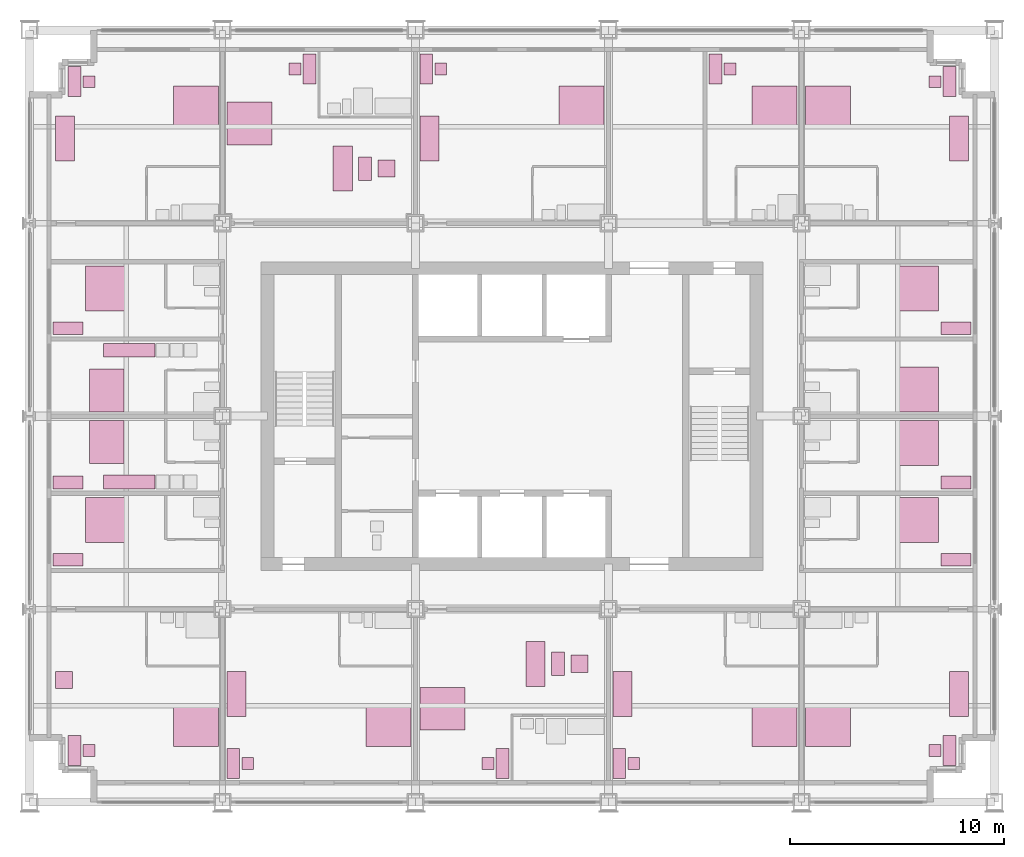
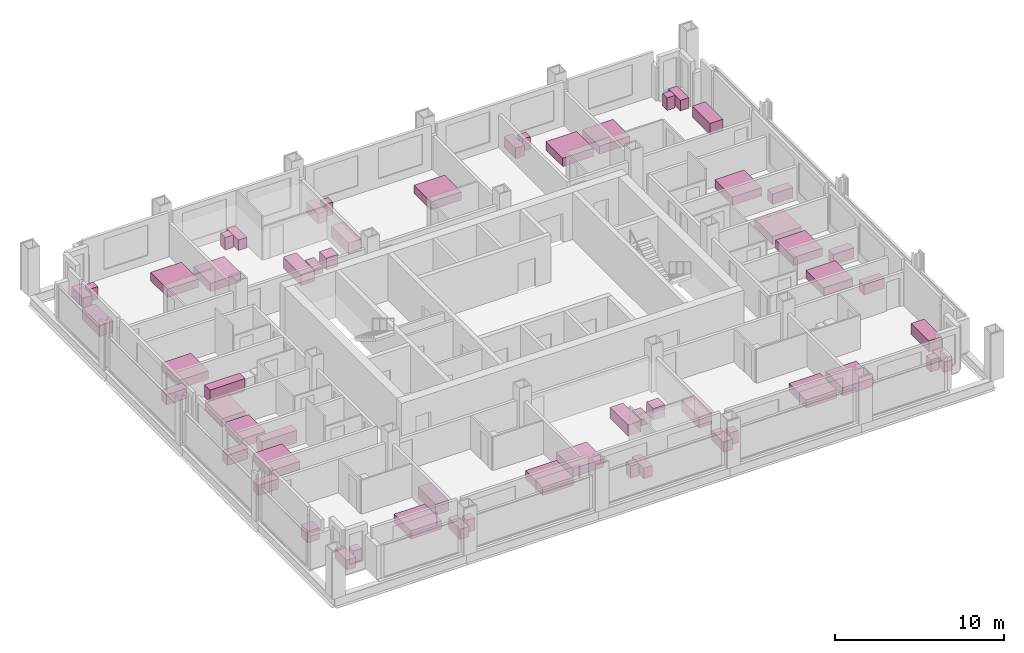
# One storey, part 16 of 16: 59 furniture elements.
"""IFC4 building model written with IfcOpenShell, lengths in metres."""

from ifc_helpers import new_model, si_unit, direction, frame, origin, origin_2d, place, context, subcontext, project, spatial, rectangle, extrude, element, save


model = new_model("IFC4")

# Units and contexts
model_context = context("Model", 3, precision=1e-05, world=origin(), true_north=direction((0.0, 1.0)))
body_context = subcontext(model_context, "Body", "Model", "MODEL_VIEW")
ifc_project = project(units=[si_unit("LENGTHUNIT", "METRE"), si_unit("AREAUNIT", "SQUARE_METRE"), si_unit("VOLUMEUNIT", "CUBIC_METRE"), si_unit("PLANEANGLEUNIT", "RADIAN"), si_unit("MASSUNIT", "GRAM", prefix="KILO")], contexts=[model_context])

# Site, building, storey
site_placement = place(None, origin())
site = spatial("IfcSite", under=ifc_project, at=site_placement, CompositionType="ELEMENT")
building_placement = place(site_placement, origin())
building = spatial("IfcBuilding", under=site, at=building_placement, Name="Loomwork Tower", CompositionType="ELEMENT")
storey_placement = place(building_placement, frame((0.0, 0.0, 107.800048828125)))
storey = spatial("IfcBuildingStorey", under=building, at=storey_placement, Name="L28", CompositionType="ELEMENT", Elevation=107.800048828125)

# Furniture
furniture_1_placement = place(storey_placement, frame((7.75, 3.60009765625, 0.0), z_axis=(0.0, 0.0, 1.0), x_axis=(1.0, 0.0, 0.0)))
element("IfcFurniture", 1, at=furniture_1_placement, inside=storey, Name="King bed L28", PredefinedType="BED", context=body_context, shape_type="SweptSolid", body=[
    extrude(rectangle(XDim=2.10009765625, YDim=2.0, at=origin_2d()), origin(), (0.0, 0.0, 1.0), 0.60009765625),
])
furniture_2_placement = place(storey_placement, frame((2.10009765625, 2.39990234375, 0.0), z_axis=(0.0, 0.0, 1.0), x_axis=(1.0, 0.0, 0.0)))
element("IfcFurniture", 2, at=furniture_2_placement, inside=storey, Name="Writing desk L28", PredefinedType="DESK", context=body_context, shape_type="SweptSolid", body=[
    extrude(rectangle(XDim=0.60009765625, YDim=1.39990234375, at=origin_2d()), origin(), (0.0, 0.0, 1.0), 0.75),
])
furniture_3_placement = place(storey_placement, frame((2.77490234375, 2.39990234375, 0.0), z_axis=(0.0, 0.0, 1.0), x_axis=(1.0, 0.0, 0.0)))
element("IfcFurniture", 3, at=furniture_3_placement, inside=storey, Name="Desk chair L28", PredefinedType="CHAIR", context=body_context, shape_type="SweptSolid", body=[
    extrude(rectangle(XDim=0.550048828125, YDim=0.550048828125, at=origin_2d()), origin(), (0.0, 0.0, 1.0), 0.89990234375),
])
furniture_4_placement = place(storey_placement, frame((1.60009765625, 5.699951171875, 0.0), z_axis=(0.0, 0.0, 1.0), x_axis=(1.0, 0.0, 0.0)))
element("IfcFurniture", 4, at=furniture_4_placement, inside=storey, Name="Lounge armchair L28", PredefinedType="CHAIR", context=body_context, shape_type="SweptSolid", body=[
    extrude(rectangle(XDim=0.800048828125, YDim=0.800048828125, at=origin_2d()), origin(), (0.0, 0.0, 1.0), 0.85009765625),
])
furniture_5_placement = place(storey_placement, frame((16.75, 3.60009765625, 0.0), z_axis=(0.0, 0.0, 1.0), x_axis=(1.0, 0.0, 0.0)))
element("IfcFurniture", 5, at=furniture_5_placement, inside=storey, Name="King bed L28", PredefinedType="BED", context=body_context, shape_type="SweptSolid", body=[
    extrude(rectangle(XDim=2.10009765625, YDim=2.0, at=origin_2d()), origin(), (0.0, 0.0, 1.0), 0.60009765625),
])
furniture_6_placement = place(storey_placement, frame((9.5, 1.800048828125, 0.0), z_axis=(0.0, 0.0, 1.0), x_axis=(1.0, 0.0, 0.0)))
element("IfcFurniture", 6, at=furniture_6_placement, inside=storey, Name="Writing desk L28", PredefinedType="DESK", context=body_context, shape_type="SweptSolid", body=[
    extrude(rectangle(XDim=0.60009765625, YDim=1.39990234375, at=origin_2d()), origin(), (0.0, 0.0, 1.0), 0.75),
])
furniture_7_placement = place(storey_placement, frame((10.175048828125, 1.800048828125, 0.0), z_axis=(0.0, 0.0, 1.0), x_axis=(1.0, 0.0, 0.0)))
element("IfcFurniture", 7, at=furniture_7_placement, inside=storey, Name="Desk chair L28", PredefinedType="CHAIR", context=body_context, shape_type="SweptSolid", body=[
    extrude(rectangle(XDim=0.550048828125, YDim=0.550048828125, at=origin_2d()), origin(), (0.0, 0.0, 1.0), 0.89990234375),
])
furniture_8_placement = place(storey_placement, frame((9.64990234375, 5.050048828125, 0.0), z_axis=(0.0, 0.0, 1.0), x_axis=(1.0, 0.0, 0.0)))
element("IfcFurniture", 8, at=furniture_8_placement, inside=storey, Name="Sofa L28", PredefinedType="SOFA", context=body_context, shape_type="SweptSolid", body=[
    extrude(rectangle(XDim=0.89990234375, YDim=2.10009765625, at=origin_2d()), origin(), (0.0, 0.0, 1.0), 0.800048828125),
])
furniture_9_placement = place(storey_placement, frame((19.25, 4.35009765625, 0.0), z_axis=(0.0, 0.0, 1.0), x_axis=(1.0, 0.0, 0.0)))
element("IfcFurniture", 9, at=furniture_9_placement, inside=storey, Name="King bed L28", PredefinedType="BED", context=body_context, shape_type="SweptSolid", body=[
    extrude(rectangle(XDim=2.10009765625, YDim=2.0, at=origin_2d()), origin(), (0.0, 0.0, 1.0), 0.60009765625),
])
furniture_10_placement = place(storey_placement, frame((22.050048828125, 1.800048828125, 0.0), z_axis=(0.0, 0.0, 1.0), x_axis=(1.0, 0.0, 0.0)))
element("IfcFurniture", 10, at=furniture_10_placement, inside=storey, Name="Writing desk L28", PredefinedType="DESK", context=body_context, shape_type="SweptSolid", body=[
    extrude(rectangle(XDim=0.60009765625, YDim=1.39990234375, at=origin_2d()), origin(), (0.0, 0.0, 1.0), 0.75),
])
furniture_11_placement = place(storey_placement, frame((21.375, 1.800048828125, 0.0), z_axis=(0.0, 0.0, 1.0), x_axis=(1.0, 0.0, 0.0)))
element("IfcFurniture", 11, at=furniture_11_placement, inside=storey, Name="Desk chair L28", PredefinedType="CHAIR", context=body_context, shape_type="SweptSolid", body=[
    extrude(rectangle(XDim=0.550048828125, YDim=0.550048828125, at=origin_2d()), origin(), (0.0, 0.0, 1.0), 0.89990234375),
])
furniture_12_placement = place(storey_placement, frame((23.60009765625, 6.449951171875, 0.0), z_axis=(0.0, 0.0, 1.0), x_axis=(1.0, 0.0, 0.0)))
element("IfcFurniture", 12, at=furniture_12_placement, inside=storey, Name="Sofa L28", PredefinedType="SOFA", context=body_context, shape_type="SweptSolid", body=[
    extrude(rectangle(XDim=0.89990234375, YDim=2.10009765625, at=origin_2d()), origin(), (0.0, 0.0, 1.0), 0.800048828125),
])
furniture_13_placement = place(storey_placement, frame((24.64990234375, 6.449951171875, 0.0), z_axis=(0.0, 0.0, 1.0), x_axis=(1.0, 0.0, 0.0)))
element("IfcFurniture", 13, at=furniture_13_placement, inside=storey, Name="Coffee table L28", PredefinedType="TABLE", context=body_context, shape_type="SweptSolid", body=[
    extrude(rectangle(XDim=0.60009765625, YDim=1.10009765625, at=origin_2d()), origin(), (0.0, 0.0, 1.0), 0.449951171875),
])
furniture_14_placement = place(storey_placement, frame((25.64990234375, 6.449951171875, 0.0), z_axis=(0.0, 0.0, 1.0), x_axis=(1.0, 0.0, 0.0)))
element("IfcFurniture", 14, at=furniture_14_placement, inside=storey, Name="Lounge armchair L28", PredefinedType="CHAIR", context=body_context, shape_type="SweptSolid", body=[
    extrude(rectangle(XDim=0.800048828125, YDim=0.800048828125, at=origin_2d()), origin(), (0.0, 0.0, 1.0), 0.85009765625),
])
furniture_15_placement = place(storey_placement, frame((34.75, 3.60009765625, 0.0), z_axis=(0.0, 0.0, 1.0), x_axis=(1.0, 0.0, 0.0)))
element("IfcFurniture", 15, at=furniture_15_placement, inside=storey, Name="King bed L28", PredefinedType="BED", context=body_context, shape_type="SweptSolid", body=[
    extrude(rectangle(XDim=2.10009765625, YDim=2.0, at=origin_2d()), origin(), (0.0, 0.0, 1.0), 0.60009765625),
])
furniture_16_placement = place(storey_placement, frame((27.5, 1.800048828125, 0.0), z_axis=(0.0, 0.0, 1.0), x_axis=(1.0, 0.0, 0.0)))
element("IfcFurniture", 16, at=furniture_16_placement, inside=storey, Name="Writing desk L28", PredefinedType="DESK", context=body_context, shape_type="SweptSolid", body=[
    extrude(rectangle(XDim=0.60009765625, YDim=1.39990234375, at=origin_2d()), origin(), (0.0, 0.0, 1.0), 0.75),
])
furniture_17_placement = place(storey_placement, frame((28.175048828125, 1.800048828125, 0.0), z_axis=(0.0, 0.0, 1.0), x_axis=(1.0, 0.0, 0.0)))
element("IfcFurniture", 17, at=furniture_17_placement, inside=storey, Name="Desk chair L28", PredefinedType="CHAIR", context=body_context, shape_type="SweptSolid", body=[
    extrude(rectangle(XDim=0.550048828125, YDim=0.550048828125, at=origin_2d()), origin(), (0.0, 0.0, 1.0), 0.89990234375),
])
furniture_18_placement = place(storey_placement, frame((27.64990234375, 5.050048828125, 0.0), z_axis=(0.0, 0.0, 1.0), x_axis=(1.0, 0.0, 0.0)))
element("IfcFurniture", 18, at=furniture_18_placement, inside=storey, Name="Sofa L28", PredefinedType="SOFA", context=body_context, shape_type="SweptSolid", body=[
    extrude(rectangle(XDim=0.89990234375, YDim=2.10009765625, at=origin_2d()), origin(), (0.0, 0.0, 1.0), 0.800048828125),
])
furniture_19_placement = place(storey_placement, frame((37.25, 3.60009765625, 0.0), z_axis=(0.0, 0.0, 1.0), x_axis=(1.0, 0.0, 0.0)))
element("IfcFurniture", 19, at=furniture_19_placement, inside=storey, Name="King bed L28", PredefinedType="BED", context=body_context, shape_type="SweptSolid", body=[
    extrude(rectangle(XDim=2.10009765625, YDim=2.0, at=origin_2d()), origin(), (0.0, 0.0, 1.0), 0.60009765625),
])
furniture_20_placement = place(storey_placement, frame((42.89990234375, 2.39990234375, 0.0), z_axis=(0.0, 0.0, 1.0), x_axis=(1.0, 0.0, 0.0)))
element("IfcFurniture", 20, at=furniture_20_placement, inside=storey, Name="Writing desk L28", PredefinedType="DESK", context=body_context, shape_type="SweptSolid", body=[
    extrude(rectangle(XDim=0.60009765625, YDim=1.39990234375, at=origin_2d()), origin(), (0.0, 0.0, 1.0), 0.75),
])
furniture_21_placement = place(storey_placement, frame((42.22509765625, 2.39990234375, 0.0), z_axis=(0.0, 0.0, 1.0), x_axis=(1.0, 0.0, 0.0)))
element("IfcFurniture", 21, at=furniture_21_placement, inside=storey, Name="Desk chair L28", PredefinedType="CHAIR", context=body_context, shape_type="SweptSolid", body=[
    extrude(rectangle(XDim=0.550048828125, YDim=0.550048828125, at=origin_2d()), origin(), (0.0, 0.0, 1.0), 0.89990234375),
])
furniture_22_placement = place(storey_placement, frame((43.35009765625, 5.050048828125, 0.0), z_axis=(0.0, 0.0, 1.0), x_axis=(1.0, 0.0, 0.0)))
element("IfcFurniture", 22, at=furniture_22_placement, inside=storey, Name="Sofa L28", PredefinedType="SOFA", context=body_context, shape_type="SweptSolid", body=[
    extrude(rectangle(XDim=0.89990234375, YDim=2.10009765625, at=origin_2d()), origin(), (0.0, 0.0, 1.0), 0.800048828125),
])
furniture_23_placement = place(storey_placement, frame((7.75, 32.39990234375, 0.0), z_axis=(0.0, 0.0, 1.0), x_axis=(1.0, 0.0, 0.0)))
element("IfcFurniture", 23, at=furniture_23_placement, inside=storey, Name="King bed L28", PredefinedType="BED", context=body_context, shape_type="SweptSolid", body=[
    extrude(rectangle(XDim=2.10009765625, YDim=2.0, at=origin_2d()), origin(), (0.0, 0.0, 1.0), 0.60009765625),
])
furniture_24_placement = place(storey_placement, frame((2.10009765625, 33.60009765625, 0.0), z_axis=(0.0, 0.0, 1.0), x_axis=(1.0, 0.0, 0.0)))
element("IfcFurniture", 24, at=furniture_24_placement, inside=storey, Name="Writing desk L28", PredefinedType="DESK", context=body_context, shape_type="SweptSolid", body=[
    extrude(rectangle(XDim=0.60009765625, YDim=1.39990234375, at=origin_2d()), origin(), (0.0, 0.0, 1.0), 0.75),
])
furniture_25_placement = place(storey_placement, frame((2.77490234375, 33.60009765625, 0.0), z_axis=(0.0, 0.0, 1.0), x_axis=(1.0, 0.0, 0.0)))
element("IfcFurniture", 25, at=furniture_25_placement, inside=storey, Name="Desk chair L28", PredefinedType="CHAIR", context=body_context, shape_type="SweptSolid", body=[
    extrude(rectangle(XDim=0.550048828125, YDim=0.550048828125, at=origin_2d()), origin(), (0.0, 0.0, 1.0), 0.89990234375),
])
furniture_26_placement = place(storey_placement, frame((1.64990234375, 30.949951171875, 0.0), z_axis=(0.0, 0.0, 1.0), x_axis=(1.0, 0.0, 0.0)))
element("IfcFurniture", 26, at=furniture_26_placement, inside=storey, Name="Sofa L28", PredefinedType="SOFA", context=body_context, shape_type="SweptSolid", body=[
    extrude(rectangle(XDim=0.89990234375, YDim=2.10009765625, at=origin_2d()), origin(), (0.0, 0.0, 1.0), 0.800048828125),
])
furniture_27_placement = place(storey_placement, frame((10.25, 31.64990234375, 0.0), z_axis=(0.0, 0.0, 1.0), x_axis=(1.0, 0.0, 0.0)))
element("IfcFurniture", 27, at=furniture_27_placement, inside=storey, Name="King bed L28", PredefinedType="BED", context=body_context, shape_type="SweptSolid", body=[
    extrude(rectangle(XDim=2.10009765625, YDim=2.0, at=origin_2d()), origin(), (0.0, 0.0, 1.0), 0.60009765625),
])
furniture_28_placement = place(storey_placement, frame((13.050048828125, 34.199951171875, 0.0), z_axis=(0.0, 0.0, 1.0), x_axis=(1.0, 0.0, 0.0)))
element("IfcFurniture", 28, at=furniture_28_placement, inside=storey, Name="Writing desk L28", PredefinedType="DESK", context=body_context, shape_type="SweptSolid", body=[
    extrude(rectangle(XDim=0.60009765625, YDim=1.39990234375, at=origin_2d()), origin(), (0.0, 0.0, 1.0), 0.75),
])
furniture_29_placement = place(storey_placement, frame((12.375, 34.199951171875, 0.0), z_axis=(0.0, 0.0, 1.0), x_axis=(1.0, 0.0, 0.0)))
element("IfcFurniture", 29, at=furniture_29_placement, inside=storey, Name="Desk chair L28", PredefinedType="CHAIR", context=body_context, shape_type="SweptSolid", body=[
    extrude(rectangle(XDim=0.550048828125, YDim=0.550048828125, at=origin_2d()), origin(), (0.0, 0.0, 1.0), 0.89990234375),
])
furniture_30_placement = place(storey_placement, frame((14.60009765625, 29.550048828125, 0.0), z_axis=(0.0, 0.0, 1.0), x_axis=(1.0, 0.0, 0.0)))
element("IfcFurniture", 30, at=furniture_30_placement, inside=storey, Name="Sofa L28", PredefinedType="SOFA", context=body_context, shape_type="SweptSolid", body=[
    extrude(rectangle(XDim=0.89990234375, YDim=2.10009765625, at=origin_2d()), origin(), (0.0, 0.0, 1.0), 0.800048828125),
])
furniture_31_placement = place(storey_placement, frame((15.64990234375, 29.550048828125, 0.0), z_axis=(0.0, 0.0, 1.0), x_axis=(1.0, 0.0, 0.0)))
element("IfcFurniture", 31, at=furniture_31_placement, inside=storey, Name="Coffee table L28", PredefinedType="TABLE", context=body_context, shape_type="SweptSolid", body=[
    extrude(rectangle(XDim=0.60009765625, YDim=1.10009765625, at=origin_2d()), origin(), (0.0, 0.0, 1.0), 0.449951171875),
])
furniture_32_placement = place(storey_placement, frame((16.64990234375, 29.550048828125, 0.0), z_axis=(0.0, 0.0, 1.0), x_axis=(1.0, 0.0, 0.0)))
element("IfcFurniture", 32, at=furniture_32_placement, inside=storey, Name="Lounge armchair L28", PredefinedType="CHAIR", context=body_context, shape_type="SweptSolid", body=[
    extrude(rectangle(XDim=0.800048828125, YDim=0.800048828125, at=origin_2d()), origin(), (0.0, 0.0, 1.0), 0.85009765625),
])
furniture_33_placement = place(storey_placement, frame((25.75, 32.39990234375, 0.0), z_axis=(0.0, 0.0, 1.0), x_axis=(1.0, 0.0, 0.0)))
element("IfcFurniture", 33, at=furniture_33_placement, inside=storey, Name="King bed L28", PredefinedType="BED", context=body_context, shape_type="SweptSolid", body=[
    extrude(rectangle(XDim=2.10009765625, YDim=2.0, at=origin_2d()), origin(), (0.0, 0.0, 1.0), 0.60009765625),
])
furniture_34_placement = place(storey_placement, frame((18.5, 34.199951171875, 0.0), z_axis=(0.0, 0.0, 1.0), x_axis=(1.0, 0.0, 0.0)))
element("IfcFurniture", 34, at=furniture_34_placement, inside=storey, Name="Writing desk L28", PredefinedType="DESK", context=body_context, shape_type="SweptSolid", body=[
    extrude(rectangle(XDim=0.60009765625, YDim=1.39990234375, at=origin_2d()), origin(), (0.0, 0.0, 1.0), 0.75),
])
furniture_35_placement = place(storey_placement, frame((19.175048828125, 34.199951171875, 0.0), z_axis=(0.0, 0.0, 1.0), x_axis=(1.0, 0.0, 0.0)))
element("IfcFurniture", 35, at=furniture_35_placement, inside=storey, Name="Desk chair L28", PredefinedType="CHAIR", context=body_context, shape_type="SweptSolid", body=[
    extrude(rectangle(XDim=0.550048828125, YDim=0.550048828125, at=origin_2d()), origin(), (0.0, 0.0, 1.0), 0.89990234375),
])
furniture_36_placement = place(storey_placement, frame((18.64990234375, 30.949951171875, 0.0), z_axis=(0.0, 0.0, 1.0), x_axis=(1.0, 0.0, 0.0)))
element("IfcFurniture", 36, at=furniture_36_placement, inside=storey, Name="Sofa L28", PredefinedType="SOFA", context=body_context, shape_type="SweptSolid", body=[
    extrude(rectangle(XDim=0.89990234375, YDim=2.10009765625, at=origin_2d()), origin(), (0.0, 0.0, 1.0), 0.800048828125),
])
furniture_37_placement = place(storey_placement, frame((34.75, 32.39990234375, 0.0), z_axis=(0.0, 0.0, 1.0), x_axis=(1.0, 0.0, 0.0)))
element("IfcFurniture", 37, at=furniture_37_placement, inside=storey, Name="King bed L28", PredefinedType="BED", context=body_context, shape_type="SweptSolid", body=[
    extrude(rectangle(XDim=2.10009765625, YDim=2.0, at=origin_2d()), origin(), (0.0, 0.0, 1.0), 0.60009765625),
])
furniture_38_placement = place(storey_placement, frame((32.0, 34.199951171875, 0.0), z_axis=(0.0, 0.0, 1.0), x_axis=(1.0, 0.0, 0.0)))
element("IfcFurniture", 38, at=furniture_38_placement, inside=storey, Name="Writing desk L28", PredefinedType="DESK", context=body_context, shape_type="SweptSolid", body=[
    extrude(rectangle(XDim=0.60009765625, YDim=1.39990234375, at=origin_2d()), origin(), (0.0, 0.0, 1.0), 0.75),
])
furniture_39_placement = place(storey_placement, frame((32.675048828125, 34.199951171875, 0.0), z_axis=(0.0, 0.0, 1.0), x_axis=(1.0, 0.0, 0.0)))
element("IfcFurniture", 39, at=furniture_39_placement, inside=storey, Name="Desk chair L28", PredefinedType="CHAIR", context=body_context, shape_type="SweptSolid", body=[
    extrude(rectangle(XDim=0.550048828125, YDim=0.550048828125, at=origin_2d()), origin(), (0.0, 0.0, 1.0), 0.89990234375),
])
furniture_40_placement = place(storey_placement, frame((37.25, 32.39990234375, 0.0), z_axis=(0.0, 0.0, 1.0), x_axis=(1.0, 0.0, 0.0)))
element("IfcFurniture", 40, at=furniture_40_placement, inside=storey, Name="King bed L28", PredefinedType="BED", context=body_context, shape_type="SweptSolid", body=[
    extrude(rectangle(XDim=2.10009765625, YDim=2.0, at=origin_2d()), origin(), (0.0, 0.0, 1.0), 0.60009765625),
])
furniture_41_placement = place(storey_placement, frame((42.89990234375, 33.60009765625, 0.0), z_axis=(0.0, 0.0, 1.0), x_axis=(1.0, 0.0, 0.0)))
element("IfcFurniture", 41, at=furniture_41_placement, inside=storey, Name="Writing desk L28", PredefinedType="DESK", context=body_context, shape_type="SweptSolid", body=[
    extrude(rectangle(XDim=0.60009765625, YDim=1.39990234375, at=origin_2d()), origin(), (0.0, 0.0, 1.0), 0.75),
])
furniture_42_placement = place(storey_placement, frame((42.22509765625, 33.60009765625, 0.0), z_axis=(0.0, 0.0, 1.0), x_axis=(1.0, 0.0, 0.0)))
element("IfcFurniture", 42, at=furniture_42_placement, inside=storey, Name="Desk chair L28", PredefinedType="CHAIR", context=body_context, shape_type="SweptSolid", body=[
    extrude(rectangle(XDim=0.550048828125, YDim=0.550048828125, at=origin_2d()), origin(), (0.0, 0.0, 1.0), 0.89990234375),
])
furniture_43_placement = place(storey_placement, frame((43.35009765625, 30.949951171875, 0.0), z_axis=(0.0, 0.0, 1.0), x_axis=(1.0, 0.0, 0.0)))
element("IfcFurniture", 43, at=furniture_43_placement, inside=storey, Name="Sofa L28", PredefinedType="SOFA", context=body_context, shape_type="SweptSolid", body=[
    extrude(rectangle(XDim=0.89990234375, YDim=2.10009765625, at=origin_2d()), origin(), (0.0, 0.0, 1.0), 0.800048828125),
])
furniture_44_placement = place(storey_placement, frame((3.60009765625, 13.14990234375, 0.0), z_axis=(0.0, 0.0, 1.0), x_axis=(1.0, 0.0, 0.0)))
element("IfcFurniture", 44, at=furniture_44_placement, inside=storey, Name="King bed L28", PredefinedType="BED", context=body_context, shape_type="SweptSolid", body=[
    extrude(rectangle(XDim=2.0, YDim=2.10009765625, at=origin_2d()), origin(), (0.0, 0.0, 1.0), 0.60009765625),
])
furniture_45_placement = place(storey_placement, frame((1.800048828125, 11.300048828125, 0.0), z_axis=(0.0, 0.0, 1.0), x_axis=(1.0, 0.0, 0.0)))
element("IfcFurniture", 45, at=furniture_45_placement, inside=storey, Name="Writing desk L28", PredefinedType="DESK", context=body_context, shape_type="SweptSolid", body=[
    extrude(rectangle(XDim=1.39990234375, YDim=0.60009765625, at=origin_2d()), origin(), (0.0, 0.0, 1.0), 0.75),
])
furniture_46_placement = place(storey_placement, frame((3.60009765625, 16.800048828125, 0.0), z_axis=(0.0, 0.0, 1.0), x_axis=(1.0, 0.0, 0.0)))
element("IfcFurniture", 46, at=furniture_46_placement, inside=storey, Name="Queen bed L28", PredefinedType="BED", context=body_context, shape_type="SweptSolid", body=[
    extrude(rectangle(XDim=1.60009765625, YDim=2.0, at=origin_2d()), origin(), (0.0, 0.0, 1.0), 0.60009765625),
])
furniture_47_placement = place(storey_placement, frame((1.800048828125, 14.89990234375, 0.0), z_axis=(0.0, 0.0, 1.0), x_axis=(1.0, 0.0, 0.0)))
element("IfcFurniture", 47, at=furniture_47_placement, inside=storey, Name="Writing desk L28", PredefinedType="DESK", context=body_context, shape_type="SweptSolid", body=[
    extrude(rectangle(XDim=1.39990234375, YDim=0.60009765625, at=origin_2d()), origin(), (0.0, 0.0, 1.0), 0.75),
])
furniture_48_placement = place(storey_placement, frame((4.64990234375, 14.925048828125, 0.0), z_axis=(0.0, 0.0, 1.0), x_axis=(1.0, 0.0, 0.0)))
element("IfcFurniture", 48, at=furniture_48_placement, inside=storey, Name="Kitchenette counter L28", ObjectType="KITCHENETTE", PredefinedType="USERDEFINED", context=body_context, shape_type="SweptSolid", body=[
    extrude(rectangle(XDim=2.39990234375, YDim=0.64990234375, at=origin_2d()), origin(), (0.0, 0.0, 1.0), 0.89990234375),
])
furniture_49_placement = place(storey_placement, frame((3.60009765625, 19.199951171875, 0.0), z_axis=(0.0, 0.0, 1.0), x_axis=(1.0, 0.0, 0.0)))
element("IfcFurniture", 49, at=furniture_49_placement, inside=storey, Name="Queen bed L28", PredefinedType="BED", context=body_context, shape_type="SweptSolid", body=[
    extrude(rectangle(XDim=1.60009765625, YDim=2.0, at=origin_2d()), origin(), (0.0, 0.0, 1.0), 0.60009765625),
])
furniture_50_placement = place(storey_placement, frame((4.64990234375, 21.074951171875, 0.0), z_axis=(0.0, 0.0, 1.0), x_axis=(1.0, 0.0, 0.0)))
element("IfcFurniture", 50, at=furniture_50_placement, inside=storey, Name="Kitchenette counter L28", ObjectType="KITCHENETTE", PredefinedType="USERDEFINED", context=body_context, shape_type="SweptSolid", body=[
    extrude(rectangle(XDim=2.39990234375, YDim=0.64990234375, at=origin_2d()), origin(), (0.0, 0.0, 1.0), 0.89990234375),
])
furniture_51_placement = place(storey_placement, frame((3.60009765625, 23.949951171875, 0.0), z_axis=(0.0, 0.0, 1.0), x_axis=(1.0, 0.0, 0.0)))
element("IfcFurniture", 51, at=furniture_51_placement, inside=storey, Name="King bed L28", PredefinedType="BED", context=body_context, shape_type="SweptSolid", body=[
    extrude(rectangle(XDim=2.0, YDim=2.10009765625, at=origin_2d()), origin(), (0.0, 0.0, 1.0), 0.60009765625),
])
furniture_52_placement = place(storey_placement, frame((1.800048828125, 22.10009765625, 0.0), z_axis=(0.0, 0.0, 1.0), x_axis=(1.0, 0.0, 0.0)))
element("IfcFurniture", 52, at=furniture_52_placement, inside=storey, Name="Writing desk L28", PredefinedType="DESK", context=body_context, shape_type="SweptSolid", body=[
    extrude(rectangle(XDim=1.39990234375, YDim=0.60009765625, at=origin_2d()), origin(), (0.0, 0.0, 1.0), 0.75),
])
furniture_53_placement = place(storey_placement, frame((41.39990234375, 13.14990234375, 0.0), z_axis=(0.0, 0.0, 1.0), x_axis=(1.0, 0.0, 0.0)))
element("IfcFurniture", 53, at=furniture_53_placement, inside=storey, Name="King bed L28", PredefinedType="BED", context=body_context, shape_type="SweptSolid", body=[
    extrude(rectangle(XDim=2.0, YDim=2.10009765625, at=origin_2d()), origin(), (0.0, 0.0, 1.0), 0.60009765625),
])
furniture_54_placement = place(storey_placement, frame((43.199951171875, 11.300048828125, 0.0), z_axis=(0.0, 0.0, 1.0), x_axis=(1.0, 0.0, 0.0)))
element("IfcFurniture", 54, at=furniture_54_placement, inside=storey, Name="Writing desk L28", PredefinedType="DESK", context=body_context, shape_type="SweptSolid", body=[
    extrude(rectangle(XDim=1.39990234375, YDim=0.60009765625, at=origin_2d()), origin(), (0.0, 0.0, 1.0), 0.75),
])
furniture_55_placement = place(storey_placement, frame((41.39990234375, 16.75, 0.0), z_axis=(0.0, 0.0, 1.0), x_axis=(1.0, 0.0, 0.0)))
element("IfcFurniture", 55, at=furniture_55_placement, inside=storey, Name="King bed L28", PredefinedType="BED", context=body_context, shape_type="SweptSolid", body=[
    extrude(rectangle(XDim=2.0, YDim=2.10009765625, at=origin_2d()), origin(), (0.0, 0.0, 1.0), 0.60009765625),
])
furniture_56_placement = place(storey_placement, frame((43.199951171875, 14.89990234375, 0.0), z_axis=(0.0, 0.0, 1.0), x_axis=(1.0, 0.0, 0.0)))
element("IfcFurniture", 56, at=furniture_56_placement, inside=storey, Name="Writing desk L28", PredefinedType="DESK", context=body_context, shape_type="SweptSolid", body=[
    extrude(rectangle(XDim=1.39990234375, YDim=0.60009765625, at=origin_2d()), origin(), (0.0, 0.0, 1.0), 0.75),
])
for number, where, z_axis, x_axis, name in (
    (57, (41.39990234375, 19.25, 0.0), (0.0, 0.0, 1.0), (1.0, 0.0, 0.0), "King bed L28"),
    (58, (41.39990234375, 23.949951171875, 0.0), (0.0, 0.0, 1.0), (1.0, 0.0, 0.0), "King bed L28"),
):
    element("IfcFurniture", number, at=place(storey_placement, frame(where, z_axis=z_axis, x_axis=x_axis)), inside=storey, Name=name, PredefinedType="BED", context=body_context, shape_type="SweptSolid", body=[
        extrude(rectangle(XDim=2.0, YDim=2.10009765625, at=origin_2d()), origin(), (0.0, 0.0, 1.0), 0.60009765625),
    ])
furniture_57_placement = place(storey_placement, frame((43.199951171875, 22.10009765625, 0.0), z_axis=(0.0, 0.0, 1.0), x_axis=(1.0, 0.0, 0.0)))
element("IfcFurniture", 59, at=furniture_57_placement, inside=storey, Name="Writing desk L28", PredefinedType="DESK", context=body_context, shape_type="SweptSolid", body=[
    extrude(rectangle(XDim=1.39990234375, YDim=0.60009765625, at=origin_2d()), origin(), (0.0, 0.0, 1.0), 0.75),
])

save(model, "model.ifc")
